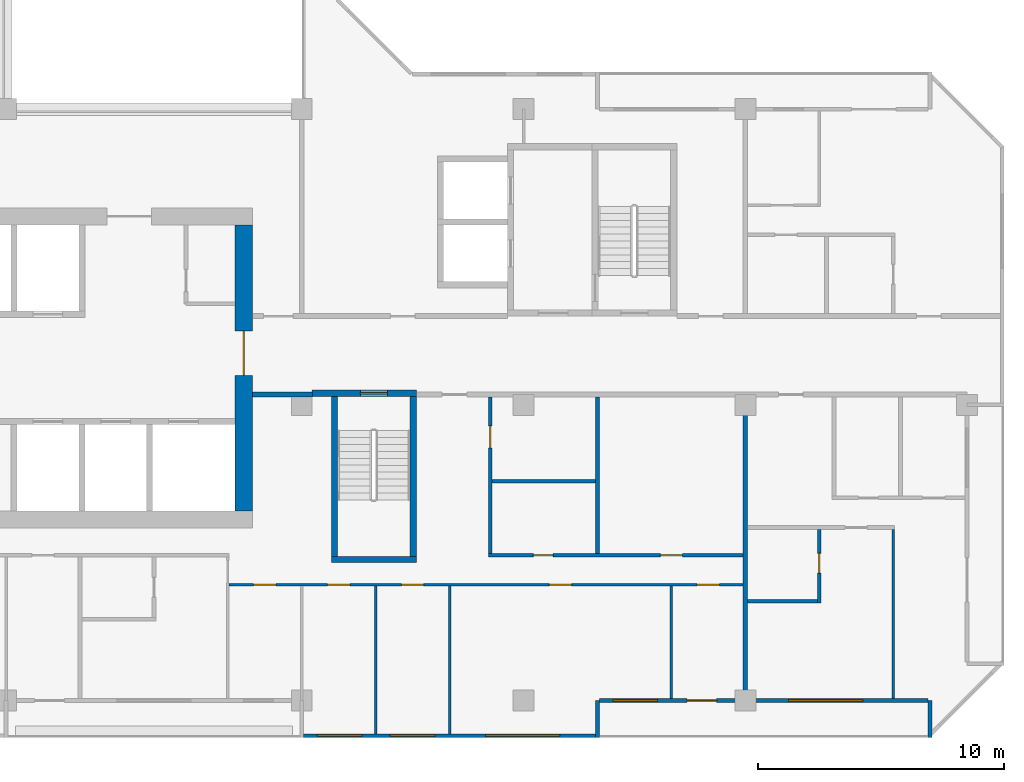
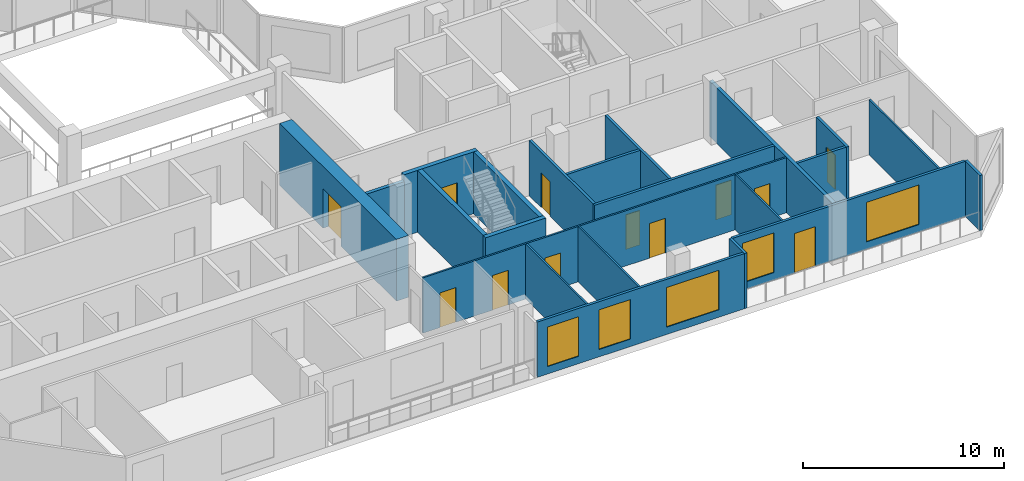
# One storey, part 6 of 14: 22 walls, 12 doors, 5 windows, 17 openings.
"""IFC4 building model written with IfcOpenShell, lengths in metres."""

from ifc_helpers import new_model, si_unit, direction, frame, frame_2d, origin, place, context, subcontext, project, spatial, rectangle, extrude, material, layer, layer_set, type_object, element, fill, save


model = new_model("IFC4")

# Units and contexts
model_context = context("Model", 3, precision=1e-05, world=origin(), true_north=direction((0.0, 1.0)))
body_context = subcontext(model_context, "Body", "Model", "MODEL_VIEW")
ifc_project = project(units=[si_unit("LENGTHUNIT", "METRE"), si_unit("AREAUNIT", "SQUARE_METRE"), si_unit("VOLUMEUNIT", "CUBIC_METRE"), si_unit("PLANEANGLEUNIT", "RADIAN"), si_unit("MASSUNIT", "GRAM", prefix="KILO")], contexts=[model_context])

# Site, building, storey
site_placement = place(None, origin())
site = spatial("IfcSite", under=ifc_project, at=site_placement, CompositionType="ELEMENT")
building_placement = place(site_placement, origin())
building = spatial("IfcBuilding", under=site, at=building_placement, Name="Chenar Terraces", CompositionType="ELEMENT")
storey_placement = place(building_placement, frame((0.0, 0.0, 237.89990234375)))
storey = spatial("IfcBuildingStorey", under=building, at=storey_placement, Name="L56", CompositionType="ELEMENT", Elevation=237.89990234375)

# Wall
ifc_material_1 = material(Name="Concrete C60/75", Category="concrete")
ifc_layer_1 = layer(ifc_material_1, 0.25)
ifc_layer_set_1 = layer_set([ifc_layer_1], Name="Concrete C60/75")
wall_type_1 = type_object("IfcWallType", Name="Core wall 250 Concrete C60/75", PredefinedType="SHEAR", material=ifc_layer_set_1)
wall_1_placement = place(storey_placement, frame((37.199951171875, 5.72509765625, 0.0), z_axis=(0.0, 0.0, 1.0), x_axis=(1.0, 0.0, 0.0)))
element("IfcWall", 1, at=wall_1_placement, inside=storey, type_object=wall_type_1, Name="Core wall ST2_S L56", PredefinedType="SHEAR", context=body_context, shape_type="SweptSolid", body=[
    extrude(rectangle(XDim=3.449951171875, YDim=0.25, at=frame_2d((1.72509765625, 0.0))), origin(), (0.0, 0.0, 1.0), 3.75),
])

# Wall, opening, door
wall_2_placement = place(storey_placement, frame((36.425048828125, 12.47509765625, 0.0), z_axis=(0.0, 0.0, 1.0), x_axis=(1.0, 0.0, 0.0)))
wall_2 = element("IfcWall", 2, at=wall_2_placement, inside=storey, type_object=wall_type_1, Name="Core wall ST2_N L56", PredefinedType="SHEAR", context=body_context, shape_type="SweptSolid", body=[
    extrude(rectangle(XDim=4.224853515625, YDim=0.25, at=frame_2d((2.1123046875, 0.0))), origin(), (0.0, 0.0, 1.0), 3.75),
])
opening_1_placement = place(wall_2_placement, frame((1.949951171875, 0.0, 0.0)))
opening_1 = element("IfcOpeningElement", 3, at=opening_1_placement, cuts=wall_2, Name="Opening DL56-C7", PredefinedType="OPENING", context=body_context, shape_type="SweptSolid", body=[
    extrude(rectangle(XDim=1.10009765625, YDim=2.199951171875, at=frame_2d((0.550048828125, 1.10009765625))), frame((0.0, 0.135009765625, 0.0), z_axis=(0.0, -1.0, 0.0), x_axis=(1.0, 0.0, 0.0)), (0.0, 0.0, 1.0), 0.27001953125),
])
ifc_material_2 = material(Name="Steel-framed fire-resisting door leaf", Category="steel")
door_type_1 = type_object("IfcDoorType", Name="Stair fire door FD60 1100 x 2200", OperationType="SINGLE_SWING_LEFT", PredefinedType="DOOR", material=ifc_material_2)
door_1_placement = place(opening_1_placement, frame((1.10009765625, 0.0, 0.0), z_axis=(0.0, 0.0, 1.0), x_axis=(-1.0, 0.0, 0.0)))
door_1 = element("IfcDoor", 4, at=door_1_placement, inside=storey, type_object=door_type_1, Name="Stair door DL56-C7", OperationType="SINGLE_SWING_LEFT", OverallHeight=2.199951171875, OverallWidth=1.10009765625, PredefinedType="DOOR", context=body_context, shape_type="SweptSolid", body=[
    extrude(rectangle(XDim=1.10009765625, YDim=2.199951171875, at=frame_2d((0.550048828125, 1.10009765625))), frame((0.0, 0.02490234375, 0.0), z_axis=(0.0, -1.0, 0.0), x_axis=(1.0, 0.0, 0.0)), (0.0, 0.0, 1.0), 0.050048828125),
])
fill(opening_1, door_1)

# Walls
for number, where, z_axis, x_axis, name in (
    (5, (37.324951171875, 5.85009765625, 0.0), (0.0, 0.0, 1.0), (0.0, 1.0, 0.0), "Core wall ST2_W L56"),
    (6, (40.52490234375, 5.85009765625, 0.0), (0.0, 0.0, 1.0), (0.0, 1.0, 0.0), "Core wall ST2_E L56"),
):
    element("IfcWall", number, at=place(storey_placement, frame(where, z_axis=z_axis, x_axis=x_axis)), inside=storey, type_object=wall_type_1, Name=name, PredefinedType="SHEAR", context=body_context, shape_type="SweptSolid", body=[
        extrude(rectangle(XDim=6.5, YDim=0.25, at=frame_2d((3.25, 0.0))), origin(), (0.0, 0.0, 1.0), 3.75),
    ])

# Wall, opening, door
ifc_material_3 = material(Name="Concrete C60/75", Category="concrete")
ifc_layer_2 = layer(ifc_material_3, 0.699951171875)
ifc_layer_set_2 = layer_set([ifc_layer_2], Name="Concrete C60/75")
wall_type_2 = type_object("IfcWallType", Name="Core wall 700 Concrete C60/75", PredefinedType="SHEAR", material=ifc_layer_set_2)
wall_3_placement = place(storey_placement, frame((33.64990234375, 7.699951171875, 0.0), z_axis=(0.0, 0.0, 1.0), x_axis=(0.0, 1.0, 0.0)))
wall_3 = element("IfcWall", 7, at=wall_3_placement, inside=storey, type_object=wall_type_2, Name="Core wall E L56", PredefinedType="SHEAR", context=body_context, shape_type="SweptSolid", body=[
    extrude(rectangle(XDim=11.60009765625, YDim=0.699951171875, at=frame_2d((5.800048828125, 0.0))), origin(), (0.0, 0.0, 1.0), 3.75),
])
opening_2_placement = place(wall_3_placement, frame((5.5, 0.0, 0.0)))
opening_2 = element("IfcOpeningElement", 8, at=opening_2_placement, cuts=wall_3, Name="Opening DL56-C1", PredefinedType="OPENING", context=body_context, shape_type="SweptSolid", body=[
    extrude(rectangle(XDim=1.800048828125, YDim=2.39990234375, at=frame_2d((0.89990234375, 1.199951171875))), frame((0.0, 0.35986328125, 0.0), z_axis=(0.0, -1.0, 0.0), x_axis=(1.0, 0.0, 0.0)), (0.0, 0.0, 1.0), 0.719970703125),
])
ifc_material_4 = material(Name="Steel-framed fire-resisting door leaf", Category="steel")
door_type_2 = type_object("IfcDoorType", Name="Core entrance double fire door FD60 1800 x 2400", OperationType="DOUBLE_DOOR_SINGLE_SWING", PredefinedType="DOOR", material=ifc_material_4)
door_2_placement = place(opening_2_placement, origin())
door_2 = element("IfcDoor", 9, at=door_2_placement, inside=storey, type_object=door_type_2, Name="Core door DL56-C1", OperationType="DOUBLE_DOOR_SINGLE_SWING", OverallHeight=2.39990234375, OverallWidth=1.800048828125, PredefinedType="DOOR", context=body_context, shape_type="SweptSolid", body=[
    extrude(rectangle(XDim=1.800048828125, YDim=2.39990234375, at=frame_2d((0.89990234375, 1.199951171875))), frame((0.0, 0.02490234375, 0.0), z_axis=(0.0, -1.0, 0.0), x_axis=(1.0, 0.0, 0.0)), (0.0, 0.0, 1.0), 0.050048828125),
])
fill(opening_2, door_2)

# Wall
ifc_material_5 = material(Name="Gypsum board on steel studs with fire boards", Category="steel")
ifc_layer_3 = layer(ifc_material_5, 0.199951171875)
ifc_layer_set_3 = layer_set([ifc_layer_3], Name="Gypsum board on steel studs with fire boards")
wall_type_3 = type_object("IfcWallType", Name="Corridor wall 200", PredefinedType="PARTITIONING", material=ifc_layer_set_3)
wall_4_placement = place(storey_placement, frame((34.0, 12.425048828125, 0.0), z_axis=(0.0, 0.0, 1.0), x_axis=(1.0, 0.0, 0.0)))
element("IfcWall", 10, at=wall_4_placement, inside=storey, type_object=wall_type_3, Name="Partition L56-065", PredefinedType="PARTITIONING", context=body_context, shape_type="SweptSolid", body=[
    extrude(rectangle(XDim=2.426025390625, YDim=0.199951171875, at=frame_2d((1.212890625, 0.0))), origin(), (0.0, 0.0, 1.0), 3.35009765625),
])

# Wall, openings, windows
ifc_material_6 = material(Name="Aluminium framed glazing", Category="aluminium")
ifc_layer_4 = layer(ifc_material_6, 0.14990234375)
ifc_layer_set_4 = layer_set([ifc_layer_4], Name="Aluminium framed glazing")
wall_type_4 = type_object("IfcWallType", Name="Glazed flush facade wall 150", PredefinedType="SOLIDWALL", material=ifc_layer_set_4)
wall_5_placement = place(storey_placement, frame((36.074951171875, -1.425048828125, 0.0), z_axis=(0.0, 0.0, 1.0), x_axis=(1.0, 0.0, 0.0)))
wall_5 = element("IfcWall", 11, at=wall_5_placement, inside=storey, type_object=wall_type_4, Name="Glazed flush facade wall", PredefinedType="SOLIDWALL", context=body_context, shape_type="SweptSolid", body=[
    extrude(rectangle(XDim=11.85009765625, YDim=0.14990234375, at=frame_2d((5.925048828125, 0.0))), origin(), (0.0, 0.0, 1.0), 3.35009765625),
])
opening_3_placement = place(wall_5_placement, frame((0.5625, 0.0, 0.449951171875)))
opening_3 = element("IfcOpeningElement", 12, at=opening_3_placement, cuts=wall_5, Name="Opening W180x240", PredefinedType="OPENING", context=body_context, shape_type="SweptSolid", body=[
    extrude(rectangle(XDim=1.800048828125, YDim=2.39990234375, at=frame_2d((0.89990234375, 1.199951171875))), frame((0.0, 0.0849609375, 0.0), z_axis=(0.0, -1.0, 0.0), x_axis=(1.0, 0.0, 0.0)), (0.0, 0.0, 1.0), 0.169921875),
])
opening_4_placement = place(wall_5_placement, frame((3.52490234375, 0.0, 0.449951171875)))
opening_4 = element("IfcOpeningElement", 13, at=opening_4_placement, cuts=wall_5, Name="Opening W180x240", PredefinedType="OPENING", context=body_context, shape_type="SweptSolid", body=[
    extrude(rectangle(XDim=1.800048828125, YDim=2.39990234375, at=frame_2d((0.89990234375, 1.199951171875))), frame((0.0, 0.0849609375, 0.0), z_axis=(0.0, -1.0, 0.0), x_axis=(1.0, 0.0, 0.0)), (0.0, 0.0, 1.0), 0.169921875),
])
opening_5_placement = place(wall_5_placement, frame((7.387451171875, 0.0, 0.449951171875)))
opening_5 = element("IfcOpeningElement", 14, at=opening_5_placement, cuts=wall_5, Name="Opening W300x240", PredefinedType="OPENING", context=body_context, shape_type="SweptSolid", body=[
    extrude(rectangle(XDim=3.0, YDim=2.39990234375, at=frame_2d((1.5, 1.199951171875))), frame((0.0, 0.0849609375, 0.0), z_axis=(0.0, -1.0, 0.0), x_axis=(1.0, 0.0, 0.0)), (0.0, 0.0, 1.0), 0.169921875),
])
ifc_material_7 = material(Name="Low emissivity double glazing, aluminium frame", Category="aluminium")
window_type_1 = type_object("IfcWindowType", Name="Fixed light 1800 x 2400", PartitioningType="SINGLE_PANEL", PredefinedType="WINDOW", material=ifc_material_7)
window_1_placement = place(opening_3_placement, origin())
window_1 = element("IfcWindow", 15, at=window_1_placement, inside=storey, type_object=window_type_1, Name="Window", OverallHeight=2.39990234375, OverallWidth=1.800048828125, PartitioningType="SINGLE_PANEL", PredefinedType="WINDOW", context=body_context, shape_type="SweptSolid", body=[
    extrude(rectangle(XDim=1.800048828125, YDim=2.39990234375, at=frame_2d((0.89990234375, 1.199951171875))), frame((0.0, 0.030029296875, 0.0), z_axis=(0.0, -1.0, 0.0), x_axis=(1.0, 0.0, 0.0)), (0.0, 0.0, 1.0), 0.06005859375),
])
fill(opening_3, window_1)
window_2_placement = place(opening_4_placement, origin())
window_2 = element("IfcWindow", 16, at=window_2_placement, inside=storey, type_object=window_type_1, Name="Window", OverallHeight=2.39990234375, OverallWidth=1.800048828125, PartitioningType="SINGLE_PANEL", PredefinedType="WINDOW", context=body_context, shape_type="SweptSolid", body=[
    extrude(rectangle(XDim=1.800048828125, YDim=2.39990234375, at=frame_2d((0.89990234375, 1.199951171875))), frame((0.0, 0.030029296875, 0.0), z_axis=(0.0, -1.0, 0.0), x_axis=(1.0, 0.0, 0.0)), (0.0, 0.0, 1.0), 0.06005859375),
])
fill(opening_4, window_2)
ifc_material_8 = material(Name="Low emissivity double glazing, aluminium frame", Category="aluminium")
window_type_2 = type_object("IfcWindowType", Name="Fixed light 3000 x 2400", PartitioningType="SINGLE_PANEL", PredefinedType="WINDOW", material=ifc_material_8)
window_3_placement = place(opening_5_placement, origin())
window_3 = element("IfcWindow", 17, at=window_3_placement, inside=storey, type_object=window_type_2, Name="Window", OverallHeight=2.39990234375, OverallWidth=3.0, PartitioningType="SINGLE_PANEL", PredefinedType="WINDOW", context=body_context, shape_type="SweptSolid", body=[
    extrude(rectangle(XDim=3.0, YDim=2.39990234375, at=frame_2d((1.5, 1.199951171875))), frame((0.0, 0.030029296875, 0.0), z_axis=(0.0, -1.0, 0.0), x_axis=(1.0, 0.0, 0.0)), (0.0, 0.0, 1.0), 0.06005859375),
])
fill(opening_5, window_3)

# Wall, openings, windows, door
ifc_material_9 = material(Name="Aluminium framed glazing", Category="aluminium")
ifc_layer_5 = layer(ifc_material_9, 0.14990234375)
ifc_layer_set_5 = layer_set([ifc_layer_5], Name="Aluminium framed glazing")
wall_type_5 = type_object("IfcWallType", Name="Glazed loggia back wall 150", PredefinedType="SOLIDWALL", material=ifc_layer_set_5)
wall_6_placement = place(storey_placement, frame((48.074951171875, 0.0, 0.0), z_axis=(0.0, 0.0, 1.0), x_axis=(1.0, 0.0, 0.0)))
wall_6 = element("IfcWall", 18, at=wall_6_placement, inside=storey, type_object=wall_type_5, Name="Glazed loggia back wall", PredefinedType="SOLIDWALL", context=body_context, shape_type="SweptSolid", body=[
    extrude(rectangle(XDim=13.35009765625, YDim=0.14990234375, at=frame_2d((6.675048828125, 0.0))), origin(), (0.0, 0.0, 1.0), 3.35009765625),
])
opening_6_placement = place(wall_6_placement, frame((0.5625, 0.0, 0.449951171875)))
opening_6 = element("IfcOpeningElement", 19, at=opening_6_placement, cuts=wall_6, Name="Opening W180x240", PredefinedType="OPENING", context=body_context, shape_type="SweptSolid", body=[
    extrude(rectangle(XDim=1.800048828125, YDim=2.39990234375, at=frame_2d((0.89990234375, 1.199951171875))), frame((0.0, 0.0849609375, 0.0), z_axis=(0.0, -1.0, 0.0), x_axis=(1.0, 0.0, 0.0)), (0.0, 0.0, 1.0), 0.169921875),
])
opening_7_placement = place(wall_6_placement, frame((3.5625, 0.0, 0.0)))
opening_7 = element("IfcOpeningElement", 20, at=opening_7_placement, cuts=wall_6, Name="Opening DL56-G7", PredefinedType="OPENING", context=body_context, shape_type="SweptSolid", body=[
    extrude(rectangle(XDim=1.199951171875, YDim=2.39990234375, at=frame_2d((0.60009765625, 1.199951171875))), frame((0.0, 0.0849609375, 0.0), z_axis=(0.0, -1.0, 0.0), x_axis=(1.0, 0.0, 0.0)), (0.0, 0.0, 1.0), 0.169921875),
])
opening_8_placement = place(wall_6_placement, frame((7.6875, 0.0, 0.449951171875)))
opening_8 = element("IfcOpeningElement", 21, at=opening_8_placement, cuts=wall_6, Name="Opening W300x240", PredefinedType="OPENING", context=body_context, shape_type="SweptSolid", body=[
    extrude(rectangle(XDim=3.0, YDim=2.39990234375, at=frame_2d((1.5, 1.199951171875))), frame((0.0, 0.0849609375, 0.0), z_axis=(0.0, -1.0, 0.0), x_axis=(1.0, 0.0, 0.0)), (0.0, 0.0, 1.0), 0.169921875),
])
window_4_placement = place(opening_6_placement, origin())
window_4 = element("IfcWindow", 22, at=window_4_placement, inside=storey, type_object=window_type_1, Name="Window", OverallHeight=2.39990234375, OverallWidth=1.800048828125, PartitioningType="SINGLE_PANEL", PredefinedType="WINDOW", context=body_context, shape_type="SweptSolid", body=[
    extrude(rectangle(XDim=1.800048828125, YDim=2.39990234375, at=frame_2d((0.89990234375, 1.199951171875))), frame((0.0, 0.030029296875, 0.0), z_axis=(0.0, -1.0, 0.0), x_axis=(1.0, 0.0, 0.0)), (0.0, 0.0, 1.0), 0.06005859375),
])
fill(opening_6, window_4)
window_5_placement = place(opening_8_placement, origin())
window_5 = element("IfcWindow", 23, at=window_5_placement, inside=storey, type_object=window_type_2, Name="Window", OverallHeight=2.39990234375, OverallWidth=3.0, PartitioningType="SINGLE_PANEL", PredefinedType="WINDOW", context=body_context, shape_type="SweptSolid", body=[
    extrude(rectangle(XDim=3.0, YDim=2.39990234375, at=frame_2d((1.5, 1.199951171875))), frame((0.0, 0.030029296875, 0.0), z_axis=(0.0, -1.0, 0.0), x_axis=(1.0, 0.0, 0.0)), (0.0, 0.0, 1.0), 0.06005859375),
])
fill(opening_8, window_5)
ifc_material_10 = material(Name="Low emissivity double glazing, aluminium frame", Category="aluminium")
door_type_3 = type_object("IfcDoorType", Name="Loggia glazed double door 1200 x 2400", OperationType="DOUBLE_DOOR_SINGLE_SWING", PredefinedType="DOOR", material=ifc_material_10)
door_3_placement = place(opening_7_placement, frame((1.199951171875, 0.0, 0.0), z_axis=(0.0, 0.0, 1.0), x_axis=(-1.0, 0.0, 0.0)))
door_3 = element("IfcDoor", 24, at=door_3_placement, inside=storey, type_object=door_type_3, Name="Loggia glazed door", OperationType="DOUBLE_DOOR_SINGLE_SWING", OverallHeight=2.39990234375, OverallWidth=1.199951171875, PredefinedType="DOOR", context=body_context, shape_type="SweptSolid", body=[
    extrude(rectangle(XDim=1.199951171875, YDim=2.39990234375, at=frame_2d((0.60009765625, 1.199951171875))), frame((0.0, 0.02490234375, 0.0), z_axis=(0.0, -1.0, 0.0), x_axis=(1.0, 0.0, 0.0)), (0.0, 0.0, 1.0), 0.050048828125),
])
fill(opening_7, door_3)

# Wall, openings, doors
ifc_material_11 = material(Name="Gypsum board on steel studs", Category="steel")
ifc_layer_6 = layer(ifc_material_11, 0.10009765625)
ifc_layer_set_6 = layer_set([ifc_layer_6], Name="Gypsum board on steel studs")
wall_type_6 = type_object("IfcWallType", Name="Gypsum partition 100", PredefinedType="PARTITIONING", material=ifc_layer_set_6)
wall_7_placement = place(storey_placement, frame((33.050048828125, 4.699951171875, 0.0), z_axis=(0.0, 0.0, 1.0), x_axis=(1.0, 0.0, 0.0)))
wall_7 = element("IfcWall", 25, at=wall_7_placement, inside=storey, type_object=wall_type_6, Name="Partition L56-064", PredefinedType="PARTITIONING", context=body_context, shape_type="SweptSolid", body=[
    extrude(rectangle(XDim=20.849853515625, YDim=0.10009765625, at=frame_2d((10.4248046875, 0.0))), origin(), (0.0, 0.0, 1.0), 3.35009765625),
])
opening_9_placement = place(wall_7_placement, frame((1.0, 0.0, 0.0)))
opening_9 = element("IfcOpeningElement", 26, at=opening_9_placement, cuts=wall_7, Name="Opening DL56-45", PredefinedType="OPENING", context=body_context, shape_type="SweptSolid", body=[
    extrude(rectangle(XDim=0.89990234375, YDim=2.10009765625, at=frame_2d((0.449951171875, 1.050048828125))), frame((0.0, 0.06005859375, 0.0), z_axis=(0.0, -1.0, 0.0), x_axis=(1.0, 0.0, 0.0)), (0.0, 0.0, 1.0), 0.1201171875),
])
opening_10_placement = place(wall_7_placement, frame((4.0, 0.0, 0.0)))
opening_10 = element("IfcOpeningElement", 27, at=opening_10_placement, cuts=wall_7, Name="Opening DL56-46", PredefinedType="OPENING", context=body_context, shape_type="SweptSolid", body=[
    extrude(rectangle(XDim=0.89990234375, YDim=2.10009765625, at=frame_2d((0.449951171875, 1.050048828125))), frame((0.0, 0.06005859375, 0.0), z_axis=(0.0, -1.0, 0.0), x_axis=(1.0, 0.0, 0.0)), (0.0, 0.0, 1.0), 0.1201171875),
])
opening_11_placement = place(wall_7_placement, frame((7.0, 0.0, 0.0)))
opening_11 = element("IfcOpeningElement", 28, at=opening_11_placement, cuts=wall_7, Name="Opening DL56-47", PredefinedType="OPENING", context=body_context, shape_type="SweptSolid", body=[
    extrude(rectangle(XDim=0.89990234375, YDim=2.10009765625, at=frame_2d((0.449951171875, 1.050048828125))), frame((0.0, 0.06005859375, 0.0), z_axis=(0.0, -1.0, 0.0), x_axis=(1.0, 0.0, 0.0)), (0.0, 0.0, 1.0), 0.1201171875),
])
opening_12_placement = place(wall_7_placement, frame((19.0, 0.0, 0.0)))
opening_12 = element("IfcOpeningElement", 29, at=opening_12_placement, cuts=wall_7, Name="Opening DL56-48", PredefinedType="OPENING", context=body_context, shape_type="SweptSolid", body=[
    extrude(rectangle(XDim=0.89990234375, YDim=2.10009765625, at=frame_2d((0.449951171875, 1.050048828125))), frame((0.0, 0.06005859375, 0.0), z_axis=(0.0, -1.0, 0.0), x_axis=(1.0, 0.0, 0.0)), (0.0, 0.0, 1.0), 0.1201171875),
])
opening_13_placement = place(wall_7_placement, frame((13.0, 0.0, 0.0)))
opening_13 = element("IfcOpeningElement", 30, at=opening_13_placement, cuts=wall_7, Name="Opening DL56-56", PredefinedType="OPENING", context=body_context, shape_type="SweptSolid", body=[
    extrude(rectangle(XDim=0.89990234375, YDim=2.10009765625, at=frame_2d((0.449951171875, 1.050048828125))), frame((0.0, 0.06005859375, 0.0), z_axis=(0.0, -1.0, 0.0), x_axis=(1.0, 0.0, 0.0)), (0.0, 0.0, 1.0), 0.1201171875),
])
ifc_material_12 = material(Name="Veneered timber door leaf", Category="wood")
door_type_4 = type_object("IfcDoorType", Name="Door 900 x 2100", OperationType="SINGLE_SWING_LEFT", PredefinedType="DOOR", material=ifc_material_12)
door_4_placement = place(opening_9_placement, frame((0.89990234375, 0.0, 0.0), z_axis=(0.0, 0.0, 1.0), x_axis=(-1.0, 0.0, 0.0)))
door_4 = element("IfcDoor", 31, at=door_4_placement, inside=storey, type_object=door_type_4, Name="Door DL56-45", OperationType="SINGLE_SWING_LEFT", OverallHeight=2.10009765625, OverallWidth=0.89990234375, PredefinedType="DOOR", context=body_context, shape_type="SweptSolid", body=[
    extrude(rectangle(XDim=0.89990234375, YDim=2.10009765625, at=frame_2d((0.449951171875, 1.050048828125))), frame((0.0, 0.02490234375, 0.0), z_axis=(0.0, -1.0, 0.0), x_axis=(1.0, 0.0, 0.0)), (0.0, 0.0, 1.0), 0.050048828125),
])
fill(opening_9, door_4)
door_5_placement = place(opening_10_placement, frame((0.89990234375, 0.0, 0.0), z_axis=(0.0, 0.0, 1.0), x_axis=(-1.0, 0.0, 0.0)))
door_5 = element("IfcDoor", 32, at=door_5_placement, inside=storey, type_object=door_type_4, Name="Door DL56-46", OperationType="SINGLE_SWING_LEFT", OverallHeight=2.10009765625, OverallWidth=0.89990234375, PredefinedType="DOOR", context=body_context, shape_type="SweptSolid", body=[
    extrude(rectangle(XDim=0.89990234375, YDim=2.10009765625, at=frame_2d((0.449951171875, 1.050048828125))), frame((0.0, 0.02490234375, 0.0), z_axis=(0.0, -1.0, 0.0), x_axis=(1.0, 0.0, 0.0)), (0.0, 0.0, 1.0), 0.050048828125),
])
fill(opening_10, door_5)
door_6_placement = place(opening_11_placement, frame((0.89990234375, 0.0, 0.0), z_axis=(0.0, 0.0, 1.0), x_axis=(-1.0, 0.0, 0.0)))
door_6 = element("IfcDoor", 33, at=door_6_placement, inside=storey, type_object=door_type_4, Name="Door DL56-47", OperationType="SINGLE_SWING_LEFT", OverallHeight=2.10009765625, OverallWidth=0.89990234375, PredefinedType="DOOR", context=body_context, shape_type="SweptSolid", body=[
    extrude(rectangle(XDim=0.89990234375, YDim=2.10009765625, at=frame_2d((0.449951171875, 1.050048828125))), frame((0.0, 0.02490234375, 0.0), z_axis=(0.0, -1.0, 0.0), x_axis=(1.0, 0.0, 0.0)), (0.0, 0.0, 1.0), 0.050048828125),
])
fill(opening_11, door_6)
door_7_placement = place(opening_12_placement, frame((0.89990234375, 0.0, 0.0), z_axis=(0.0, 0.0, 1.0), x_axis=(-1.0, 0.0, 0.0)))
door_7 = element("IfcDoor", 34, at=door_7_placement, inside=storey, type_object=door_type_4, Name="Door DL56-48", OperationType="SINGLE_SWING_LEFT", OverallHeight=2.10009765625, OverallWidth=0.89990234375, PredefinedType="DOOR", context=body_context, shape_type="SweptSolid", body=[
    extrude(rectangle(XDim=0.89990234375, YDim=2.10009765625, at=frame_2d((0.449951171875, 1.050048828125))), frame((0.0, 0.02490234375, 0.0), z_axis=(0.0, -1.0, 0.0), x_axis=(1.0, 0.0, 0.0)), (0.0, 0.0, 1.0), 0.050048828125),
])
fill(opening_12, door_7)
door_8_placement = place(opening_13_placement, frame((0.89990234375, 0.0, 0.0), z_axis=(0.0, 0.0, 1.0), x_axis=(-1.0, 0.0, 0.0)))
door_8 = element("IfcDoor", 35, at=door_8_placement, inside=storey, type_object=door_type_4, Name="Door DL56-56", OperationType="SINGLE_SWING_LEFT", OverallHeight=2.10009765625, OverallWidth=0.89990234375, PredefinedType="DOOR", context=body_context, shape_type="SweptSolid", body=[
    extrude(rectangle(XDim=0.89990234375, YDim=2.10009765625, at=frame_2d((0.449951171875, 1.050048828125))), frame((0.0, 0.02490234375, 0.0), z_axis=(0.0, -1.0, 0.0), x_axis=(1.0, 0.0, 0.0)), (0.0, 0.0, 1.0), 0.050048828125),
])
fill(opening_13, door_8)

# Walls
wall_8_placement = place(storey_placement, frame((39.0, -1.35107421875, 0.0), z_axis=(0.0, 0.0, 1.0), x_axis=(0.0, 1.0, 0.0)))
element("IfcWall", 36, at=wall_8_placement, inside=storey, type_object=wall_type_6, Name="Partition L56-069", PredefinedType="PARTITIONING", context=body_context, shape_type="SweptSolid", body=[
    extrude(rectangle(XDim=6.0009765625, YDim=0.10009765625, at=frame_2d((3.00048828125, 0.0))), origin(), (0.0, 0.0, 1.0), 3.35009765625),
])
wall_9_placement = place(storey_placement, frame((42.0, -1.35009765625, 0.0), z_axis=(0.0, 0.0, 1.0), x_axis=(0.0, 1.0, 0.0)))
element("IfcWall", 37, at=wall_9_placement, inside=storey, type_object=wall_type_6, Name="Partition L56-071", PredefinedType="PARTITIONING", context=body_context, shape_type="SweptSolid", body=[
    extrude(rectangle(XDim=6.0, YDim=0.10009765625, at=frame_2d((3.0, 0.0))), origin(), (0.0, 0.0, 1.0), 3.35009765625),
])
wall_10_placement = place(storey_placement, frame((51.0, 0.073974609375, 0.0), z_axis=(0.0, 0.0, 1.0), x_axis=(0.0, 1.0, 0.0)))
element("IfcWall", 38, at=wall_10_placement, inside=storey, type_object=wall_type_6, Name="Partition L56-077", PredefinedType="PARTITIONING", context=body_context, shape_type="SweptSolid", body=[
    extrude(rectangle(XDim=4.575927734375, YDim=0.10009765625, at=frame_2d((2.2880859375, 0.0))), origin(), (0.0, 0.0, 1.0), 3.35009765625),
])
wall_11_placement = place(storey_placement, frame((60.0, 0.073974609375, 0.0), z_axis=(0.0, 0.0, 1.0), x_axis=(0.0, 1.0, 0.0)))
element("IfcWall", 39, at=wall_11_placement, inside=storey, type_object=wall_type_6, Name="Partition L56-090", PredefinedType="PARTITIONING", context=body_context, shape_type="SweptSolid", body=[
    extrude(rectangle(XDim=6.8759765625, YDim=0.10009765625, at=frame_2d((3.43798828125, 0.0))), origin(), (0.0, 0.0, 1.0), 3.35009765625),
])
ifc_material_13 = material(Name="Terracotta cladding on insulated backing", Category="masonry")
ifc_layer_7 = layer(ifc_material_13, 0.14990234375)
ifc_layer_set_7 = layer_set([ifc_layer_7], Name="Terracotta cladding on insulated backing")
wall_type_7 = type_object("IfcWallType", Name="Loggia return wall 150", PredefinedType="SOLIDWALL", material=ifc_layer_set_7)
for number, where, z_axis, x_axis, name in (
    (40, (48.0, -1.5, 0.0), (0.0, 0.0, 1.0), (0.0, 1.0, 0.0), "Loggia return wall"),
    (41, (61.5, -1.5, 0.0), (0.0, 0.0, 1.0), (0.0, 1.0, 0.0), "Loggia return wall"),
):
    element("IfcWall", number, at=place(storey_placement, frame(where, z_axis=z_axis, x_axis=x_axis)), inside=storey, type_object=wall_type_7, Name=name, PredefinedType="SOLIDWALL", context=body_context, shape_type="SweptSolid", body=[
        extrude(rectangle(XDim=1.5, YDim=0.14990234375, at=frame_2d((0.75, 0.0))), origin(), (0.0, 0.0, 1.0), 3.35009765625),
    ])
ifc_material_14 = material(Name="Twin gypsum board on steel studs with mineral wool", Category="steel")
ifc_layer_8 = layer(ifc_material_14, 0.199951171875)
ifc_layer_set_8 = layer_set([ifc_layer_8], Name="Twin gypsum board on steel studs with mineral wool")
wall_type_8 = type_object("IfcWallType", Name="Unit demising wall 200", PredefinedType="PARTITIONING", material=ifc_layer_set_8)
wall_12_placement = place(storey_placement, frame((54.0, 0.073974609375, 0.0), z_axis=(0.0, 0.0, 1.0), x_axis=(0.0, 1.0, 0.0)))
element("IfcWall", 42, at=wall_12_placement, inside=storey, type_object=wall_type_8, Name="Partition L56-079", PredefinedType="PARTITIONING", context=body_context, shape_type="SweptSolid", body=[
    extrude(rectangle(XDim=12.2509765625, YDim=0.199951171875, at=frame_2d((6.12548828125, 0.0))), origin(), (0.0, 0.0, 1.0), 3.35009765625),
])

# Wall, openings, doors
ifc_material_15 = material(Name="Moisture-resistant gypsum board on steel studs", Category="steel")
ifc_layer_9 = layer(ifc_material_15, 0.14990234375)
ifc_layer_set_9 = layer_set([ifc_layer_9], Name="Moisture-resistant gypsum board on steel studs")
wall_type_9 = type_object("IfcWallType", Name="Wet-room partition 150", PredefinedType="PARTITIONING", material=ifc_layer_set_9)
wall_13_placement = place(storey_placement, frame((43.574951171875, 5.89990234375, 0.0), z_axis=(0.0, 0.0, 1.0), x_axis=(1.0, 0.0, 0.0)))
wall_13 = element("IfcWall", 43, at=wall_13_placement, inside=storey, type_object=wall_type_9, Name="Partition L56-072", PredefinedType="PARTITIONING", context=body_context, shape_type="SweptSolid", body=[
    extrude(rectangle(XDim=10.324951171875, YDim=0.14990234375, at=frame_2d((5.16259765625, 0.0))), origin(), (0.0, 0.0, 1.0), 3.35009765625),
])
opening_14_placement = place(wall_13_placement, frame((1.824951171875, 0.0, 0.0)))
opening_14 = element("IfcOpeningElement", 44, at=opening_14_placement, cuts=wall_13, Name="Opening DL56-42", PredefinedType="OPENING", context=body_context, shape_type="SweptSolid", body=[
    extrude(rectangle(XDim=0.800048828125, YDim=2.10009765625, at=frame_2d((0.39990234375, 1.050048828125))), frame((0.0, 0.0849609375, 0.0), z_axis=(0.0, -1.0, 0.0), x_axis=(1.0, 0.0, 0.0)), (0.0, 0.0, 1.0), 0.169921875),
])
opening_15_placement = place(wall_13_placement, frame((6.97509765625, 0.0, 0.0)))
opening_15 = element("IfcOpeningElement", 45, at=opening_15_placement, cuts=wall_13, Name="Opening DL56-57", PredefinedType="OPENING", context=body_context, shape_type="SweptSolid", body=[
    extrude(rectangle(XDim=0.89990234375, YDim=2.10009765625, at=frame_2d((0.449951171875, 1.050048828125))), frame((0.0, 0.0849609375, 0.0), z_axis=(0.0, -1.0, 0.0), x_axis=(1.0, 0.0, 0.0)), (0.0, 0.0, 1.0), 0.169921875),
])
ifc_material_16 = material(Name="Veneered timber door leaf", Category="wood")
door_type_5 = type_object("IfcDoorType", Name="Door 800 x 2100", OperationType="SINGLE_SWING_LEFT", PredefinedType="DOOR", material=ifc_material_16)
door_9_placement = place(opening_14_placement, origin())
door_9 = element("IfcDoor", 46, at=door_9_placement, inside=storey, type_object=door_type_5, Name="Door DL56-42", OperationType="SINGLE_SWING_RIGHT", OverallHeight=2.10009765625, OverallWidth=0.800048828125, PredefinedType="DOOR", context=body_context, shape_type="SweptSolid", body=[
    extrude(rectangle(XDim=0.800048828125, YDim=2.10009765625, at=frame_2d((0.39990234375, 1.050048828125))), frame((0.0, 0.02490234375, 0.0), z_axis=(0.0, -1.0, 0.0), x_axis=(1.0, 0.0, 0.0)), (0.0, 0.0, 1.0), 0.050048828125),
])
fill(opening_14, door_9)
door_10_placement = place(opening_15_placement, origin())
door_10 = element("IfcDoor", 47, at=door_10_placement, inside=storey, type_object=door_type_4, Name="Door DL56-57", OperationType="SINGLE_SWING_RIGHT", OverallHeight=2.10009765625, OverallWidth=0.89990234375, PredefinedType="DOOR", context=body_context, shape_type="SweptSolid", body=[
    extrude(rectangle(XDim=0.89990234375, YDim=2.10009765625, at=frame_2d((0.449951171875, 1.050048828125))), frame((0.0, 0.02490234375, 0.0), z_axis=(0.0, -1.0, 0.0), x_axis=(1.0, 0.0, 0.0)), (0.0, 0.0, 1.0), 0.050048828125),
])
fill(opening_15, door_10)

# Wall, opening, door
wall_14_placement = place(storey_placement, frame((43.64990234375, 5.97509765625, 0.0), z_axis=(0.0, 0.0, 1.0), x_axis=(0.0, 1.0, 0.0)))
wall_14 = element("IfcWall", 48, at=wall_14_placement, inside=storey, type_object=wall_type_9, Name="Partition L56-073", PredefinedType="PARTITIONING", context=body_context, shape_type="SweptSolid", body=[
    extrude(rectangle(XDim=6.349853515625, YDim=0.14990234375, at=frame_2d((3.1748046875, 0.0))), origin(), (0.0, 0.0, 1.0), 3.35009765625),
])
opening_16_placement = place(wall_14_placement, frame((4.27490234375, 0.0, 0.0)))
opening_16 = element("IfcOpeningElement", 49, at=opening_16_placement, cuts=wall_14, Name="Opening DL56-54", PredefinedType="OPENING", context=body_context, shape_type="SweptSolid", body=[
    extrude(rectangle(XDim=0.89990234375, YDim=2.10009765625, at=frame_2d((0.449951171875, 1.050048828125))), frame((0.0, 0.0849609375, 0.0), z_axis=(0.0, -1.0, 0.0), x_axis=(1.0, 0.0, 0.0)), (0.0, 0.0, 1.0), 0.169921875),
])
door_11_placement = place(opening_16_placement, frame((0.89990234375, 0.0, 0.0), z_axis=(0.0, 0.0, 1.0), x_axis=(-1.0, 0.0, 0.0)))
door_11 = element("IfcDoor", 50, at=door_11_placement, inside=storey, type_object=door_type_4, Name="Door DL56-54", OperationType="SINGLE_SWING_LEFT", OverallHeight=2.10009765625, OverallWidth=0.89990234375, PredefinedType="DOOR", context=body_context, shape_type="SweptSolid", body=[
    extrude(rectangle(XDim=0.89990234375, YDim=2.10009765625, at=frame_2d((0.449951171875, 1.050048828125))), frame((0.0, 0.02490234375, 0.0), z_axis=(0.0, -1.0, 0.0), x_axis=(1.0, 0.0, 0.0)), (0.0, 0.0, 1.0), 0.050048828125),
])
fill(opening_16, door_11)

# Walls
wall_15_placement = place(storey_placement, frame((43.72509765625, 8.89990234375, 0.0), z_axis=(0.0, 0.0, 1.0), x_axis=(1.0, 0.0, 0.0)))
element("IfcWall", 51, at=wall_15_placement, inside=storey, type_object=wall_type_9, Name="Partition L56-074", PredefinedType="PARTITIONING", context=body_context, shape_type="SweptSolid", body=[
    extrude(rectangle(XDim=4.199951171875, YDim=0.14990234375, at=frame_2d((2.10009765625, 0.0))), origin(), (0.0, 0.0, 1.0), 3.35009765625),
])
wall_16_placement = place(storey_placement, frame((48.0, 5.97509765625, 0.0), z_axis=(0.0, 0.0, 1.0), x_axis=(0.0, 1.0, 0.0)))
element("IfcWall", 52, at=wall_16_placement, inside=storey, type_object=wall_type_9, Name="Partition L56-076", PredefinedType="PARTITIONING", context=body_context, shape_type="SweptSolid", body=[
    extrude(rectangle(XDim=6.349853515625, YDim=0.14990234375, at=frame_2d((3.1748046875, 0.0))), origin(), (0.0, 0.0, 1.0), 3.35009765625),
])
wall_17_placement = place(storey_placement, frame((54.10009765625, 4.02490234375, 0.0), z_axis=(0.0, 0.0, 1.0), x_axis=(1.0, 0.0, 0.0)))
element("IfcWall", 53, at=wall_17_placement, inside=storey, type_object=wall_type_9, Name="Partition L56-081", PredefinedType="PARTITIONING", context=body_context, shape_type="SweptSolid", body=[
    extrude(rectangle(XDim=2.824951171875, YDim=0.14990234375, at=frame_2d((1.41259765625, 0.0))), origin(), (0.0, 0.0, 1.0), 3.35009765625),
])

# Wall, opening, door
wall_18_placement = place(storey_placement, frame((57.0, 3.949951171875, 0.0), z_axis=(0.0, 0.0, 1.0), x_axis=(0.0, 1.0, 0.0)))
wall_18 = element("IfcWall", 54, at=wall_18_placement, inside=storey, type_object=wall_type_9, Name="Partition L56-085", PredefinedType="PARTITIONING", context=body_context, shape_type="SweptSolid", body=[
    extrude(rectangle(XDim=3.0, YDim=0.14990234375, at=frame_2d((1.5, 0.0))), origin(), (0.0, 0.0, 1.0), 3.35009765625),
])
opening_17_placement = place(wall_18_placement, frame((1.22509765625, 0.0, 0.0)))
opening_17 = element("IfcOpeningElement", 55, at=opening_17_placement, cuts=wall_18, Name="Opening DL56-10", PredefinedType="OPENING", context=body_context, shape_type="SweptSolid", body=[
    extrude(rectangle(XDim=0.800048828125, YDim=2.10009765625, at=frame_2d((0.39990234375, 1.050048828125))), frame((0.0, 0.0849609375, 0.0), z_axis=(0.0, -1.0, 0.0), x_axis=(1.0, 0.0, 0.0)), (0.0, 0.0, 1.0), 0.169921875),
])
door_12_placement = place(opening_17_placement, origin())
door_12 = element("IfcDoor", 56, at=door_12_placement, inside=storey, type_object=door_type_5, Name="Door DL56-10", OperationType="SINGLE_SWING_RIGHT", OverallHeight=2.10009765625, OverallWidth=0.800048828125, PredefinedType="DOOR", context=body_context, shape_type="SweptSolid", body=[
    extrude(rectangle(XDim=0.800048828125, YDim=2.10009765625, at=frame_2d((0.39990234375, 1.050048828125))), frame((0.0, 0.02490234375, 0.0), z_axis=(0.0, -1.0, 0.0), x_axis=(1.0, 0.0, 0.0)), (0.0, 0.0, 1.0), 0.050048828125),
])
fill(opening_17, door_12)

save(model, "model.ifc")
